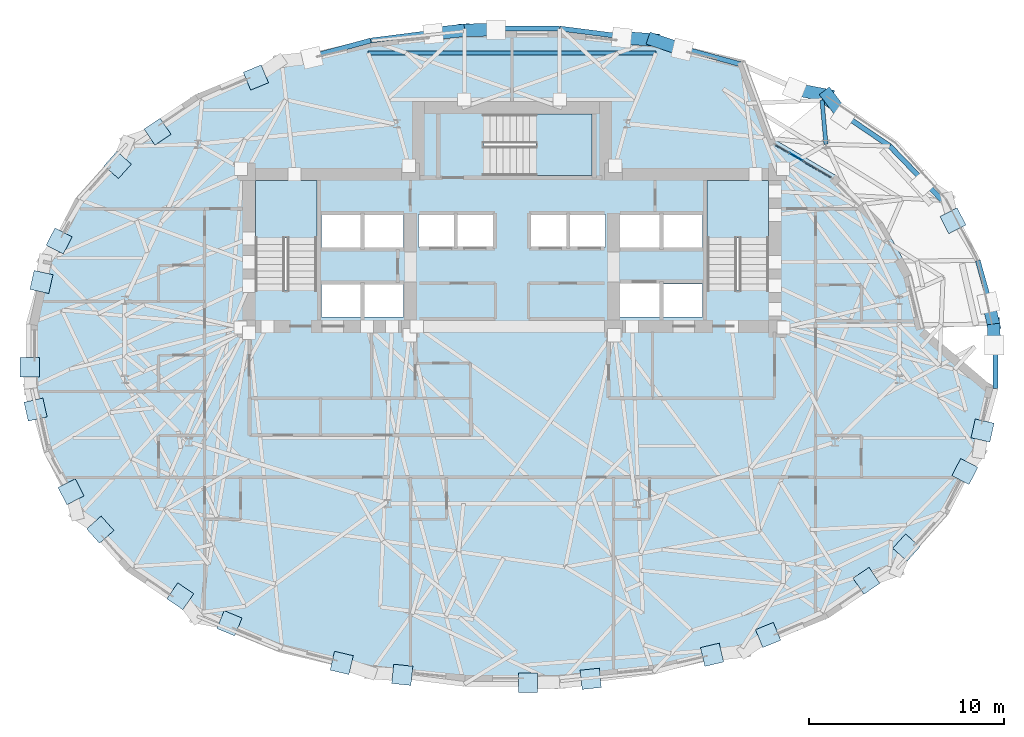
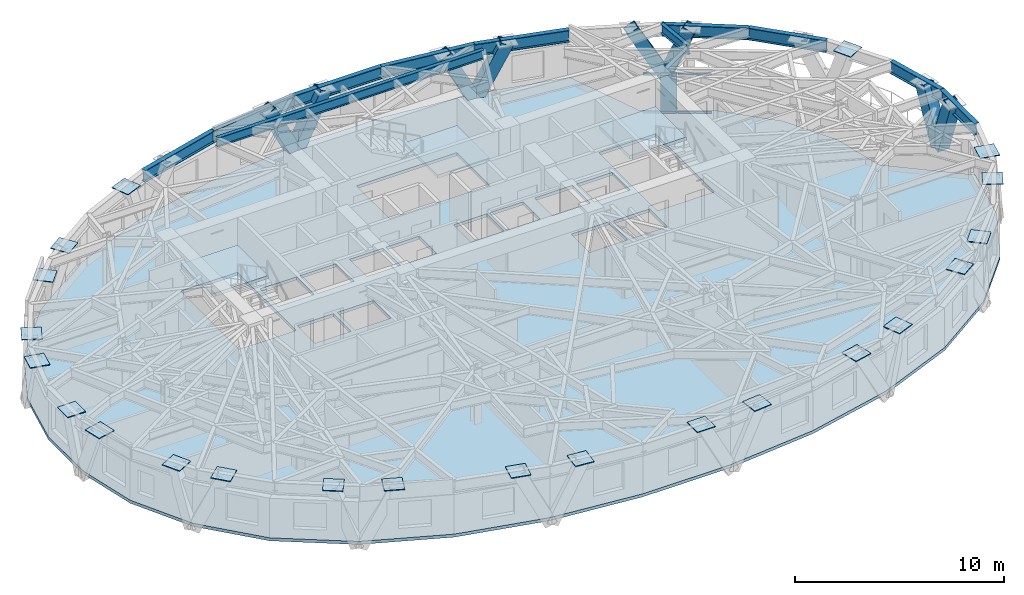
# One storey, part 5 of 15: 23 plates, 16 members, 11 beams, 4 slabs, 4 elements without a shape of their own.
"""IFC4 building model written with IfcOpenShell, lengths in metres."""

from ifc_helpers import new_model, si_unit, direction, frame, origin, origin_2d, place, context, subcontext, project, spatial, polyline, rectangle, hollow_rectangle, i_section, outline, extrude, material, layer, layer_set, material_profile, profile_set, type_object, element, aggregate, save


model = new_model("IFC4")

# Units and contexts
model_context = context("Model", 3, precision=1e-05, world=origin(), true_north=direction((0.0, 1.0)))
body_context = subcontext(model_context, "Body", "Model", "MODEL_VIEW")
ifc_project = project(units=[si_unit("LENGTHUNIT", "METRE"), si_unit("AREAUNIT", "SQUARE_METRE"), si_unit("VOLUMEUNIT", "CUBIC_METRE"), si_unit("PLANEANGLEUNIT", "RADIAN"), si_unit("MASSUNIT", "GRAM", prefix="KILO")], contexts=[model_context])

# Site, building, storey
site_placement = place(None, origin())
site = spatial("IfcSite", under=ifc_project, at=site_placement, CompositionType="ELEMENT")
building_placement = place(site_placement, origin())
building = spatial("IfcBuilding", under=site, at=building_placement, Name="Keldmark Tower", CompositionType="ELEMENT")
storey_placement = place(building_placement, frame((0.0, 0.0, 156.60009765625)))
storey = spatial("IfcBuildingStorey", under=building, at=storey_placement, Name="L42", CompositionType="ELEMENT", Elevation=156.60009765625)

# Curtain wall, members
ifc_material_1 = material(Name="Unitized Thermally Broken Aluminum and Triple Low-E Glazing", Category="aluminium")
ifc_layer_1 = layer(ifc_material_1, 0.219970703125)
ifc_layer_set_1 = layer_set([ifc_layer_1], Name="Unitized Thermally Broken Aluminum and Triple Low-E Glazing")
curtain_wall_type = type_object("IfcCurtainWallType", Name="Spiralling Sky-Garden Feature Curtain Wall System", PredefinedType="NOTDEFINED", material=ifc_layer_set_1)
curtain_wall_placement = place(storey_placement, origin())
curtain_wall = element("IfcCurtainWall", 1, at=curtain_wall_placement, inside=storey, type_object=curtain_wall_type, Name="L42 Spiralling Sky-Garden Feature Curtain Wall System CW-L42-04", PredefinedType="NOTDEFINED")
ifc_material_2 = material(Name="Extruded Aluminum Alloy 6063-T6", Category="aluminium")
ifc_material_profile_1 = material_profile(ifc_material_2, rectangle(XDim=0.06005859375, YDim=0.139892578125, at=origin_2d()), Name="CWT60X140")
ifc_profile_set_1 = profile_set([ifc_material_profile_1], Name="Extruded Aluminum Alloy 6063-T6")
member_type_1 = type_object("IfcMemberType", Name="Curtain Wall Horizontal Transom 60x140", PredefinedType="USERDEFINED", material=ifc_profile_set_1)
member_1_placement = place(storey_placement, frame((13.5078125, 10.8154296875, 0.02978515625), z_axis=(0.862693136327, -0.505727745467, 0.0), x_axis=(0.505727745467, 0.862693136327, 0.0)))
member_1 = element("IfcMember", 2, at=member_1_placement, type_object=member_type_1, Name="CW transom 1.1", ObjectType="TRANSOM", PredefinedType="USERDEFINED", context=body_context, shape_type="SweptSolid", body=[
    extrude(rectangle(XDim=0.06005859375, YDim=0.139892578125, at=origin_2d()), origin(), (0.0, 0.0, 1.0), 0.759765625),
])
member_2_placement = place(storey_placement, frame((13.5078125, 10.8154296875, 2.284912109375), z_axis=(0.862693136327, -0.505727745467, 0.0), x_axis=(0.505727745467, 0.862693136327, 0.0)))
member_2 = element("IfcMember", 3, at=member_2_placement, type_object=member_type_1, Name="CW transom 1.2", ObjectType="TRANSOM", PredefinedType="USERDEFINED", context=body_context, shape_type="SweptSolid", body=[
    extrude(rectangle(XDim=0.06005859375, YDim=0.139892578125, at=origin_2d()), origin(), (0.0, 0.0, 1.0), 0.759765625),
])
member_3_placement = place(storey_placement, frame((14.215087890625, 10.40087890625, 0.02978515625), z_axis=(0.862711920524, -0.505695701174, 0.0), x_axis=(0.505695701174, 0.862711920524, 0.0)))
member_3 = element("IfcMember", 4, at=member_3_placement, type_object=member_type_1, Name="CW transom 2.1", ObjectType="TRANSOM", PredefinedType="USERDEFINED", context=body_context, shape_type="SweptSolid", body=[
    extrude(rectangle(XDim=0.06005859375, YDim=0.139892578125, at=origin_2d()), origin(), (0.0, 0.0, 1.0), 0.789794921875),
])
member_4_placement = place(storey_placement, frame((14.215087890625, 10.40087890625, 2.284912109375), z_axis=(0.862711920524, -0.505695701174, 0.0), x_axis=(0.505695701174, 0.862711920524, 0.0)))
member_4 = element("IfcMember", 5, at=member_4_placement, type_object=member_type_1, Name="CW transom 2.2", ObjectType="TRANSOM", PredefinedType="USERDEFINED", context=body_context, shape_type="SweptSolid", body=[
    extrude(rectangle(XDim=0.06005859375, YDim=0.139892578125, at=origin_2d()), origin(), (0.0, 0.0, 1.0), 0.789794921875),
])
member_5_placement = place(storey_placement, frame((14.9482421875, 9.97119140625, 0.02978515625), z_axis=(0.862846764045, -0.505465589113, 0.0), x_axis=(0.505465589113, 0.862846764045, 0.0)))
member_5 = element("IfcMember", 6, at=member_5_placement, type_object=member_type_1, Name="CW transom 3.1", ObjectType="TRANSOM", PredefinedType="USERDEFINED", context=body_context, shape_type="SweptSolid", body=[
    extrude(rectangle(XDim=0.06005859375, YDim=0.139892578125, at=origin_2d()), origin(), (0.0, 0.0, 1.0), 0.789794921875),
])
member_6_placement = place(storey_placement, frame((14.9482421875, 9.97119140625, 2.284912109375), z_axis=(0.862846764045, -0.505465589113, 0.0), x_axis=(0.505465589113, 0.862846764045, 0.0)))
member_6 = element("IfcMember", 7, at=member_6_placement, type_object=member_type_1, Name="CW transom 3.2", ObjectType="TRANSOM", PredefinedType="USERDEFINED", context=body_context, shape_type="SweptSolid", body=[
    extrude(rectangle(XDim=0.06005859375, YDim=0.139892578125, at=origin_2d()), origin(), (0.0, 0.0, 1.0), 0.789794921875),
])
member_7_placement = place(storey_placement, frame((15.681396484375, 9.54150390625, 0.02978515625), z_axis=(0.862833305667, -0.505488562315, 0.0), x_axis=(0.505488562315, 0.862833305667, 0.0)))
member_7 = element("IfcMember", 8, at=member_7_placement, type_object=member_type_1, Name="CW transom 4.1", ObjectType="TRANSOM", PredefinedType="USERDEFINED", context=body_context, shape_type="SweptSolid", body=[
    extrude(rectangle(XDim=0.06005859375, YDim=0.139892578125, at=origin_2d()), origin(), (0.0, 0.0, 1.0), 0.759765625),
])
member_8_placement = place(storey_placement, frame((15.681396484375, 9.54150390625, 2.284912109375), z_axis=(0.862833305667, -0.505488562315, 0.0), x_axis=(0.505488562315, 0.862833305667, 0.0)))
member_8 = element("IfcMember", 9, at=member_8_placement, type_object=member_type_1, Name="CW transom 4.2", ObjectType="TRANSOM", PredefinedType="USERDEFINED", context=body_context, shape_type="SweptSolid", body=[
    extrude(rectangle(XDim=0.06005859375, YDim=0.139892578125, at=origin_2d()), origin(), (0.0, 0.0, 1.0), 0.759765625),
])

# Members
ifc_material_3 = material(Name="Steel ASTM A572 Grade 50", Category="steel")
ifc_material_profile_2 = material_profile(ifc_material_3, hollow_rectangle(XDim=0.64990234375, YDim=0.64990234375, WallThickness=0.0400390625, at=origin_2d()), Name="BOX650X650X40")
ifc_profile_set_2 = profile_set([ifc_material_profile_2], Name="Steel ASTM A572 Grade 50")
member_type_2 = type_object("IfcMemberType", Name="Diagrid Zone 3 Brace BOX650X650X40", PredefinedType="BRACE", material=ifc_profile_set_2)
member_9_placement = place(storey_placement, frame((24.661376953125, 1.64453125, -0.260009765625), z_axis=(-0.076993934621, 0.324365175842, 0.942793278897), x_axis=(-0.972965402394, -0.23095091631, 0.0)))
element("IfcMember", 10, at=member_9_placement, inside=storey, type_object=member_type_2, Name="L42 Perimeter Diagrid Brace 01A", PredefinedType="BRACE", context=body_context, shape_type="SweptSolid", body=[
    extrude(hollow_rectangle(XDim=0.64990234375, YDim=0.64990234375, WallThickness=0.0400390625, at=origin_2d()), origin(), (0.0, 0.0, 1.0), 3.3515625),
])
member_10_placement = place(storey_placement, frame((16.17578125, 13.36083984375, -0.260009765625), z_axis=(0.237246505981, -0.310568192931, 0.920468083607), x_axis=(0.794662472972, 0.607051525037, 0.0)))
element("IfcMember", 11, at=member_10_placement, inside=storey, type_object=member_type_2, Name="L42 Perimeter Diagrid Brace 02B", PredefinedType="BRACE", context=body_context, shape_type="SweptSolid", body=[
    extrude(hollow_rectangle(XDim=0.64990234375, YDim=0.64990234375, WallThickness=0.0400390625, at=origin_2d()), origin(), (0.0, 0.0, 1.0), 3.432861328125),
])
member_11_placement = place(storey_placement, frame((16.18408203125, 13.3525390625, -0.260009765625), z_axis=(-0.473834234057, 0.090083326029, 0.875994356721), x_axis=(-0.186770346323, -0.98240360226, 0.0)))
element("IfcMember", 12, at=member_11_placement, inside=storey, type_object=member_type_2, Name="L42 Perimeter Diagrid Brace 03A", PredefinedType="BRACE", context=body_context, shape_type="SweptSolid", body=[
    extrude(hollow_rectangle(XDim=0.64990234375, YDim=0.64990234375, WallThickness=0.0400390625, at=origin_2d()), origin(), (0.0, 0.0, 1.0), 3.607177734375),
])
member_12_placement = place(storey_placement, frame((7.247314453125, 16.205078125, -0.260009765625), z_axis=(0.418816960474, -0.141176592501, 0.897029276752), x_axis=(0.319424921765, 0.947611586757, 0.0)))
element("IfcMember", 13, at=member_12_placement, inside=storey, type_object=member_type_2, Name="L42 Perimeter Diagrid Brace 03B", PredefinedType="BRACE", context=body_context, shape_type="SweptSolid", body=[
    extrude(hollow_rectangle(XDim=0.64990234375, YDim=0.64990234375, WallThickness=0.0400390625, at=origin_2d()), origin(), (0.0, 0.0, 1.0), 3.522705078125),
])
member_13_placement = place(storey_placement, frame((7.25830078125, 16.200439453125, -0.260009765625), z_axis=(-0.459940361757, 0.033523749724, 0.887316753945), x_axis=(-0.072694326547, -0.997354267494, 0.0)))
element("IfcMember", 14, at=member_13_placement, inside=storey, type_object=member_type_2, Name="L42 Perimeter Diagrid Brace 04A", PredefinedType="BRACE", context=body_context, shape_type="SweptSolid", body=[
    extrude(hollow_rectangle(XDim=0.64990234375, YDim=0.64990234375, WallThickness=0.0400390625, at=origin_2d()), origin(), (0.0, 0.0, 1.0), 3.561279296875),
])
member_14_placement = place(storey_placement, frame((-2.440673828125, 16.697509765625, -0.260009765625), z_axis=(0.456547638671, 0.008729531784, 0.88965614082), x_axis=(-0.01911725242, 0.999817248631, 0.0)))
element("IfcMember", 15, at=member_14_placement, inside=storey, type_object=member_type_2, Name="L42 Perimeter Diagrid Brace 04B", PredefinedType="BRACE", context=body_context, shape_type="SweptSolid", body=[
    extrude(hollow_rectangle(XDim=0.64990234375, YDim=0.64990234375, WallThickness=0.0400390625, at=origin_2d()), origin(), (0.0, 0.0, 1.0), 3.5517578125),
])
member_15_placement = place(storey_placement, frame((-2.428955078125, 16.697509765625, -0.260009765625), z_axis=(-0.451976552368, -0.049202684979, 0.890671820538), x_axis=(0.108221779044, -0.99412677589, 0.0)))
element("IfcMember", 16, at=member_15_placement, inside=storey, type_object=member_type_2, Name="L42 Perimeter Diagrid Brace 05A", PredefinedType="BRACE", context=body_context, shape_type="SweptSolid", body=[
    extrude(hollow_rectangle(XDim=0.64990234375, YDim=0.64990234375, WallThickness=0.0400390625, at=origin_2d()), origin(), (0.0, 0.0, 1.0), 3.5478515625),
])
member_16_placement = place(storey_placement, frame((24.661376953125, 1.656494140625, -0.260009765625), z_axis=(0.013425575147, -0.3285617657, 0.944387060506), x_axis=(0.999166206847, 0.040827577628, 0.0)))
element("IfcMember", 17, at=member_16_placement, inside=storey, type_object=member_type_2, Name="L42 Perimeter Diagrid Brace 16B", PredefinedType="BRACE", context=body_context, shape_type="SweptSolid", body=[
    extrude(hollow_rectangle(XDim=0.64990234375, YDim=0.64990234375, WallThickness=0.0400390625, at=origin_2d()), origin(), (0.0, 0.0, 1.0), 3.345947265625),
])

# Beams
ifc_material_4 = material(Name="Steel ASTM A992 Grade 50", Category="steel")
ifc_material_profile_3 = material_profile(ifc_material_4, i_section(OverallWidth=0.2099609375, OverallDepth=0.537109375, WebThickness=0.010986328125, FlangeThickness=0.017333984375, at=origin_2d()), Name="W21X68")
ifc_profile_set_3 = profile_set([ifc_material_profile_3], Name="Steel ASTM A992 Grade 50")
beam_type_1 = type_object("IfcBeamType", Name="Radial Tie Girder W21X68", PredefinedType="BEAM", material=ifc_profile_set_3)
beam_1_placement = place(storey_placement, frame((16.08154296875, 10.861083984375, 2.75146484375), z_axis=(-0.089048441045, 0.996027296387, 0.0), x_axis=(-0.996027296387, -0.089048441045, 0.0)))
element("IfcBeam", 18, at=beam_1_placement, inside=storey, type_object=beam_type_1, Name="L42 Perimeter Column Bracket RT-05", PredefinedType="BEAM", context=body_context, shape_type="SweptSolid", body=[
    extrude(i_section(OverallWidth=0.2099609375, OverallDepth=0.537109375, WebThickness=0.010986328125, FlangeThickness=0.017333984375, at=origin_2d()), origin(), (0.0, 0.0, 1.0), 2.2646484375),
])
beam_2_placement = place(storey_placement, frame((-7.376953125, 15.538330078125, 2.75146484375), z_axis=(1.0, 0.0, 0.0), x_axis=(0.0, 1.0, 0.0)))
element("IfcBeam", 19, at=beam_2_placement, inside=storey, type_object=beam_type_1, Name="L42 North Outer Header Girder FG-TCN-H1", PredefinedType="BEAM", context=body_context, shape_type="SweptSolid", body=[
    extrude(i_section(OverallWidth=0.2099609375, OverallDepth=0.537109375, WebThickness=0.010986328125, FlangeThickness=0.017333984375, at=origin_2d()), origin(), (0.0, 0.0, 1.0), 14.75390625),
])
ifc_material_5 = material(Name="Steel ASTM A992 Grade 50", Category="steel")
ifc_material_profile_4 = material_profile(ifc_material_5, i_section(OverallWidth=0.256103515625, OverallDepth=0.693115234375, WebThickness=0.014404296875, FlangeThickness=0.023681640625, at=origin_2d()), Name="W27X114")
ifc_profile_set_4 = profile_set([ifc_material_profile_4], Name="Steel ASTM A992 Grade 50")
beam_type_2 = type_object("IfcBeamType", Name="Spandrel Ring Beam W27X114", PredefinedType="SPANDREL", material=ifc_profile_set_4)
beam_3_placement = place(storey_placement, frame((24.76611328125, 1.653564453125, 2.67333984375), z_axis=(-0.269235699479, 0.963074315993, 0.0), x_axis=(-0.963074315993, -0.269235699479, 0.0)))
element("IfcBeam", 20, at=beam_3_placement, inside=storey, type_object=beam_type_2, Name="L42 Perimeter Spandrel Ring Beam SRB-01", PredefinedType="SPANDREL", context=body_context, shape_type="SweptSolid", body=[
    extrude(i_section(OverallWidth=0.256103515625, OverallDepth=0.693115234375, WebThickness=0.014404296875, FlangeThickness=0.023681640625, at=origin_2d()), origin(), (0.0, 0.0, 1.0), 3.376953125),
])
beam_4_placement = place(storey_placement, frame((22.036865234375, 7.984619140625, 2.67333984375), z_axis=(-0.694975307772, 0.719033602544, 0.0), x_axis=(-0.719033602544, -0.694975307772, 0.0)))
element("IfcBeam", 21, at=beam_4_placement, inside=storey, type_object=beam_type_2, Name="L42 Perimeter Spandrel Ring Beam SRB-03", PredefinedType="SPANDREL", context=body_context, shape_type="SweptSolid", body=[
    extrude(i_section(OverallWidth=0.256103515625, OverallDepth=0.693115234375, WebThickness=0.014404296875, FlangeThickness=0.023681640625, at=origin_2d()), origin(), (0.0, 0.0, 1.0), 3.866455078125),
])
beam_5_placement = place(storey_placement, frame((19.349853515625, 10.7646484375, 2.67333984375), z_axis=(-0.827760762475, 0.561081206338, 0.0), x_axis=(-0.561081206338, -0.827760762475, 0.0)))
element("IfcBeam", 22, at=beam_5_placement, inside=storey, type_object=beam_type_2, Name="L42 Perimeter Spandrel Ring Beam SRB-04", PredefinedType="SPANDREL", context=body_context, shape_type="SweptSolid", body=[
    extrude(i_section(OverallWidth=0.256103515625, OverallDepth=0.693115234375, WebThickness=0.014404296875, FlangeThickness=0.023681640625, at=origin_2d()), origin(), (0.0, 0.0, 1.0), 4.19189453125),
])
beam_6_placement = place(storey_placement, frame((11.77880859375, 14.93798828125, 2.67333984375), z_axis=(-0.965024302167, 0.26216043986, 0.0), x_axis=(-0.26216043986, -0.965024302167, 0.0)))
element("IfcBeam", 23, at=beam_6_placement, inside=storey, type_object=beam_type_2, Name="L42 Perimeter Spandrel Ring Beam SRB-06", PredefinedType="SPANDREL", context=body_context, shape_type="SweptSolid", body=[
    extrude(i_section(OverallWidth=0.256103515625, OverallDepth=0.693115234375, WebThickness=0.014404296875, FlangeThickness=0.023681640625, at=origin_2d()), origin(), (0.0, 0.0, 1.0), 4.70654296875),
])
beam_7_placement = place(storey_placement, frame((7.23681640625, 16.171875, 2.67333984375), z_axis=(-0.991852091732, 0.127394772761, 0.0), x_axis=(-0.127394772761, -0.991852091732, 0.0)))
element("IfcBeam", 24, at=beam_7_placement, inside=storey, type_object=beam_type_2, Name="L42 Perimeter Spandrel Ring Beam SRB-07", PredefinedType="SPANDREL", context=body_context, shape_type="SweptSolid", body=[
    extrude(i_section(OverallWidth=0.256103515625, OverallDepth=0.693115234375, WebThickness=0.014404296875, FlangeThickness=0.023681640625, at=origin_2d()), origin(), (0.0, 0.0, 1.0), 4.8369140625),
])
beam_8_placement = place(storey_placement, frame((2.439208984375, 16.7880859375, 2.67333984375), z_axis=(-1.0, 0.0, 0.0), x_axis=(0.0, -1.0, 0.0)))
element("IfcBeam", 25, at=beam_8_placement, inside=storey, type_object=beam_type_2, Name="L42 Perimeter Spandrel Ring Beam SRB-08", PredefinedType="SPANDREL", context=body_context, shape_type="SweptSolid", body=[
    extrude(i_section(OverallWidth=0.256103515625, OverallDepth=0.693115234375, WebThickness=0.014404296875, FlangeThickness=0.023681640625, at=origin_2d()), origin(), (0.0, 0.0, 1.0), 4.87841796875),
])
beam_9_placement = place(storey_placement, frame((-2.439208984375, 16.7880859375, 2.67333984375), z_axis=(-0.991852091732, -0.127394772761, 0.0), x_axis=(0.127394772761, -0.991852091732, 0.0)))
element("IfcBeam", 26, at=beam_9_placement, inside=storey, type_object=beam_type_2, Name="L42 Perimeter Spandrel Ring Beam SRB-09", PredefinedType="SPANDREL", context=body_context, shape_type="SweptSolid", body=[
    extrude(i_section(OverallWidth=0.256103515625, OverallDepth=0.693115234375, WebThickness=0.014404296875, FlangeThickness=0.023681640625, at=origin_2d()), origin(), (0.0, 0.0, 1.0), 4.8369140625),
])
beam_10_placement = place(storey_placement, frame((-7.23681640625, 16.171875, 2.67333984375), z_axis=(-0.965024302167, -0.26216043986, 0.0), x_axis=(0.26216043986, -0.965024302167, 0.0)))
element("IfcBeam", 27, at=beam_10_placement, inside=storey, type_object=beam_type_2, Name="L42 Perimeter Spandrel Ring Beam SRB-10", PredefinedType="SPANDREL", context=body_context, shape_type="SweptSolid", body=[
    extrude(i_section(OverallWidth=0.256103515625, OverallDepth=0.693115234375, WebThickness=0.014404296875, FlangeThickness=0.023681640625, at=origin_2d()), origin(), (0.0, 0.0, 1.0), 4.70654296875),
])
beam_11_placement = place(storey_placement, frame((24.76611328125, -1.653564453125, 2.67333984375), z_axis=(0.0, 1.0, 0.0), x_axis=(-1.0, 0.0, 0.0)))
element("IfcBeam", 28, at=beam_11_placement, inside=storey, type_object=beam_type_2, Name="L42 Perimeter Spandrel Ring Beam SRB-32", PredefinedType="SPANDREL", context=body_context, shape_type="SweptSolid", body=[
    extrude(i_section(OverallWidth=0.256103515625, OverallDepth=0.693115234375, WebThickness=0.014404296875, FlangeThickness=0.023681640625, at=origin_2d()), origin(), (0.0, 0.0, 1.0), 3.30712890625),
])

# Plates
ifc_material_6 = material(Name="Steel ASTM A572 Grade 50", Category="steel")
ifc_layer_2 = layer(ifc_material_6, 0.044921875)
ifc_layer_set_2 = layer_set([ifc_layer_2], Name="Steel ASTM A572 Grade 50")
plate_type_1 = type_object("IfcPlateType", Name="Diagrid Node Assembly DN04 45 mm", PredefinedType="USERDEFINED", material=ifc_layer_set_2)
for number, where, z_axis, x_axis, name in (
    (29, (22.586181640625, 6.94091796875, 2.87744140625), (0.0, 0.0, 1.0), (-0.457408364087, 0.889256761832, 0.0), "L42 Diagrid Node Assembly 02"),
    (30, (-13.11767578125, 14.278076171875, 2.87744140625), (0.0, 0.0, 1.0), (-0.925077206834, -0.379779095522, 0.0), "L42 Diagrid Node Assembly 11"),
    (31, (-18.1552734375, 11.502197265625, 2.87744140625), (0.0, 0.0, 1.0), (-0.827766671236, -0.56107248907, 0.0), "L42 Diagrid Node Assembly 12"),
    (32, (-20.19921875, 9.7998046875, 2.87744140625), (0.0, 0.0, 1.0), (-0.666272209433, -0.745708617985, 0.0), "L42 Diagrid Node Assembly 13"),
    (33, (-23.197265625, 5.90380859375, 2.87744140625), (0.0, 0.0, 1.0), (-0.457408364087, -0.889256761832, 0.0), "L42 Diagrid Node Assembly 14"),
    (34, (-24.1025390625, 3.80419921875, 2.87744140625), (0.0, 0.0, 1.0), (-0.218994806262, -0.975726024471, 0.0), "L42 Diagrid Node Assembly 15"),
    (35, (-24.706298828125, -0.55712890625, 2.87744140625), (0.0, 0.0, 1.0), (0.0, -1.0, 0.0), "L42 Diagrid Node Assembly 16"),
    (36, (-24.4033203125, -2.731689453125, 2.87744140625), (0.0, 0.0, 1.0), (0.218994806262, -0.975726024471, 0.0), "L42 Diagrid Node Assembly 17"),
    (37, (-22.586181640625, -6.94091796875, 2.87744140625), (0.0, 0.0, 1.0), (0.457408364087, -0.889256761832, 0.0), "L42 Diagrid Node Assembly 18"),
    (38, (-21.08837890625, -8.883056640625, 2.87744140625), (0.0, 0.0, 1.0), (0.666272209433, -0.745708617985, 0.0), "L42 Diagrid Node Assembly 19"),
    (39, (-16.990234375, -12.294677734375, 2.87744140625), (0.0, 0.0, 1.0), (0.827766671236, -0.56107248907, 0.0), "L42 Diagrid Node Assembly 20"),
    (40, (-14.474853515625, -13.677490234375, 2.87744140625), (0.0, 0.0, 1.0), (0.925077206834, -0.379779095522, 0.0), "L42 Diagrid Node Assembly 21"),
    (41, (-8.72265625, -15.707763671875, 2.87744140625), (0.0, 0.0, 1.0), (0.973178872777, -0.230049737188, 0.0), "L42 Diagrid Node Assembly 22"),
    (42, (-5.620361328125, -16.31982421875, 2.87744140625), (0.0, 0.0, 1.0), (0.994720742649, -0.10261892683, 0.0), "L42 Diagrid Node Assembly 23"),
    (43, (0.819091796875, -16.728515625, 2.87744140625), (0.0, 0.0, 1.0), (1.0, 0.0, 0.0), "L42 Diagrid Node Assembly 24"),
    (44, (4.032470703125, -16.52294921875, 2.87744140625), (0.0, 0.0, 1.0), (0.994720742649, 0.10261892683, 0.0), "L42 Diagrid Node Assembly 25"),
    (45, (10.24755859375, -15.2919921875, 2.87744140625), (0.0, 0.0, 1.0), (0.973178872777, 0.230049737188, 0.0), "L42 Diagrid Node Assembly 26"),
    (46, (13.11767578125, -14.278076171875, 2.87744140625), (0.0, 0.0, 1.0), (0.925077206834, 0.379779095522, 0.0), "L42 Diagrid Node Assembly 27"),
    (47, (18.1552734375, -11.502197265625, 2.87744140625), (0.0, 0.0, 1.0), (0.827766671236, 0.56107248907, 0.0), "L42 Diagrid Node Assembly 28"),
    (48, (20.19921875, -9.7998046875, 2.87744140625), (0.0, 0.0, 1.0), (0.666272209433, 0.745708617985, 0.0), "L42 Diagrid Node Assembly 29"),
    (49, (23.197265625, -5.90380859375, 2.87744140625), (0.0, 0.0, 1.0), (0.457408364087, 0.889256761832, 0.0), "L42 Diagrid Node Assembly 30"),
    (50, (24.1025390625, -3.80419921875, 2.87744140625), (0.0, 0.0, 1.0), (0.218994806262, 0.975726024471, 0.0), "L42 Diagrid Node Assembly 31"),
):
    element("IfcPlate", number, at=place(storey_placement, frame(where, z_axis=z_axis, x_axis=x_axis)), inside=storey, type_object=plate_type_1, Name=name, ObjectType="GUSSET", PredefinedType="USERDEFINED", context=body_context, shape_type="SweptSolid", body=[
        extrude(rectangle(XDim=0.989990234375, YDim=0.989990234375, at=origin_2d()), origin(), (0.0, 0.0, 1.0), 0.044921875),
    ])

# Slab
ifc_material_7 = material(Name="Concrete C35/45", Category="concrete")
ifc_layer_3 = layer(ifc_material_7, 0.179931640625)
ifc_layer_set_3 = layer_set([ifc_layer_3], Name="Concrete C35/45")
slab_type_1 = type_object("IfcSlabType", Name="Hotel and Residential Slab 180 mm", PredefinedType="FLOOR", material=ifc_layer_set_3)
slab_1_placement = place(storey_placement, frame((0.0, 0.0, -0.18017578125)))
element("IfcSlab", 51, at=slab_1_placement, inside=storey, type_object=slab_type_1, Name="L42 Composite Structural Floor Slab", PredefinedType="FLOOR", context=body_context, shape_type="SweptSolid", body=[
    extrude(outline(polyline([(21.129150390625, 1.41064453125), (20.458251953125, 4.206787109375), (18.970458984375, 6.873291015625), (16.62060546875, 9.24609375), (13.446533203125, 11.106201171875), (11.948974609375, 15.153564453125), (7.275634765625, 16.2578125), (2.434814453125, 16.75732421875), (-2.434814453125, 16.75732421875), (-7.275634765625, 16.2578125), (-11.948974609375, 15.153564453125), (-16.22216796875, 13.39892578125), (-19.7666015625, 10.99609375), (-22.35498046875, 8.099609375), (-23.984375, 4.931884765625), (-24.72119140625, 1.650390625), (-24.72119140625, -1.650390625), (-23.984375, -4.931884765625), (-22.35498046875, -8.099609375), (-19.7666015625, -10.99609375), (-16.22216796875, -13.39892578125), (-11.948974609375, -15.153564453125), (-7.275634765625, -16.2578125), (-2.434814453125, -16.75732421875), (2.434814453125, -16.75732421875), (7.275634765625, -16.2578125), (11.948974609375, -15.153564453125), (16.22216796875, -13.39892578125), (19.7666015625, -10.99609375), (22.35498046875, -8.099609375), (23.984375, -4.931884765625), (24.72119140625, -1.650390625), (21.129150390625, 1.41064453125)]), holes=[polyline([(-10.0, 3.385009765625), (-10.0, 9.0), (-13.14990234375, 9.0), (-13.14990234375, 3.385009765625), (-10.0, 3.385009765625)]), polyline([(13.14990234375, 3.385009765625), (13.14990234375, 9.0), (10.0, 9.0), (10.0, 3.385009765625), (13.14990234375, 3.385009765625)]), polyline([(-1.43994140625, 9.25), (4.10498046875, 9.25), (4.10498046875, 12.39990234375), (-1.43994140625, 12.39990234375), (-1.43994140625, 9.25)]), polyline([(-9.75, 2.0), (-7.75, 2.0), (-7.75, 3.699951171875), (-9.75, 3.699951171875), (-9.75, 2.0)]), polyline([(7.75, 2.0), (9.75, 2.0), (9.75, 3.699951171875), (7.75, 3.699951171875), (7.75, 2.0)]), polyline([(5.449951171875, 2.0), (7.550048828125, 2.0), (7.550048828125, 3.75), (5.449951171875, 3.75), (5.449951171875, 2.0)]), polyline([(-4.800048828125, 5.60009765625), (-2.949951171875, 5.60009765625), (-2.949951171875, 7.25), (-4.800048828125, 7.25), (-4.800048828125, 5.60009765625)]), polyline([(-2.800048828125, 5.60009765625), (-0.949951171875, 5.60009765625), (-0.949951171875, 7.25), (-2.800048828125, 7.25), (-2.800048828125, 5.60009765625)]), polyline([(0.949951171875, 5.60009765625), (2.800048828125, 5.60009765625), (2.800048828125, 7.25), (0.949951171875, 7.25), (0.949951171875, 5.60009765625)]), polyline([(2.949951171875, 5.60009765625), (4.800048828125, 5.60009765625), (4.800048828125, 7.25), (2.949951171875, 7.25), (2.949951171875, 5.60009765625)]), polyline([(-9.75, 5.550048828125), (-7.75, 5.550048828125), (-7.75, 7.25), (-9.75, 7.25), (-9.75, 5.550048828125)]), polyline([(-7.550048828125, 5.550048828125), (-5.550048828125, 5.550048828125), (-5.550048828125, 7.25), (-7.550048828125, 7.25), (-7.550048828125, 5.550048828125)]), polyline([(-7.550048828125, 2.0), (-5.550048828125, 2.0), (-5.550048828125, 3.699951171875), (-7.550048828125, 3.699951171875), (-7.550048828125, 2.0)]), polyline([(5.449951171875, 5.550048828125), (7.550048828125, 5.550048828125), (7.550048828125, 7.25), (5.449951171875, 7.25), (5.449951171875, 5.550048828125)]), polyline([(7.75, 5.550048828125), (9.75, 5.550048828125), (9.75, 7.25), (7.75, 7.25), (7.75, 5.550048828125)])]), origin(), (0.0, 0.0, 1.0), 0.18017578125),
])

# Stair, slab
ifc_material_8 = material(Name="Concrete C40/50", Category="concrete")
stair_type = type_object("IfcStairType", Name="Precast Concrete Core Exit Stair", PredefinedType="HALF_TURN_STAIR", material=ifc_material_8)
stair_1_placement = place(storey_placement, origin())
stair_1 = element("IfcStair", 52, at=stair_1_placement, inside=storey, type_object=stair_type, Name="L42 Exit Stair ST1", PredefinedType="HALF_TURN_STAIR")
ifc_material_9 = material(Name="Concrete C40/50", Category="concrete")
ifc_layer_4 = layer(ifc_material_9, 0.199951171875)
ifc_layer_set_4 = layer_set([ifc_layer_4], Name="Concrete C40/50")
slab_type_2 = type_object("IfcSlabType", Name="Reinforced Concrete Stair Landing 200 mm", PredefinedType="LANDING", material=ifc_layer_set_4)
slab_2_placement = place(storey_placement, frame((0.0, 0.0, 1.39990234375)))
slab_2 = element("IfcSlab", 53, at=slab_2_placement, type_object=slab_type_2, Name="ST1 landing 1", PredefinedType="LANDING", context=body_context, shape_type="SweptSolid", body=[
    extrude(outline(polyline([(-10.0, 6.050048828125), (-10.0, 9.0), (-13.14990234375, 9.0), (-13.14990234375, 6.050048828125), (-10.0, 6.050048828125)])), origin(), (0.0, 0.0, 1.0), 0.199951171875),
])
aggregate(stair_1, [slab_2])

stair_2_placement = place(storey_placement, origin())
stair_2 = element("IfcStair", 54, at=stair_2_placement, inside=storey, type_object=stair_type, Name="L42 Exit Stair ST2", PredefinedType="HALF_TURN_STAIR")
slab_3_placement = place(storey_placement, frame((0.0, 0.0, 1.39990234375)))
slab_3 = element("IfcSlab", 55, at=slab_3_placement, type_object=slab_type_2, Name="ST2 landing 1", PredefinedType="LANDING", context=body_context, shape_type="SweptSolid", body=[
    extrude(outline(polyline([(13.14990234375, 6.050048828125), (13.14990234375, 9.0), (10.0, 9.0), (10.0, 6.050048828125), (13.14990234375, 6.050048828125)])), origin(), (0.0, 0.0, 1.0), 0.199951171875),
])
aggregate(stair_2, [slab_3])

stair_3_placement = place(storey_placement, origin())
stair_3 = element("IfcStair", 56, at=stair_3_placement, inside=storey, type_object=stair_type, Name="L42 Exit Stair ST3", PredefinedType="HALF_TURN_STAIR")
slab_4_placement = place(storey_placement, frame((0.0, 0.0, 1.39990234375)))
slab_4 = element("IfcSlab", 57, at=slab_4_placement, type_object=slab_type_2, Name="ST3 landing 1", PredefinedType="LANDING", context=body_context, shape_type="SweptSolid", body=[
    extrude(outline(polyline([(1.22509765625, 9.25), (4.10498046875, 9.25), (4.10498046875, 12.39990234375), (1.22509765625, 12.39990234375), (1.22509765625, 9.25)])), origin(), (0.0, 0.0, 1.0), 0.199951171875),
])
aggregate(stair_3, [slab_4])

# Plate
ifc_material_10 = material(Name="Triple Silver Low-E Insulated Glass Unit", Category="glass")
ifc_layer_5 = layer(ifc_material_10, 0.035888671875)
ifc_layer_set_5 = layer_set([ifc_layer_5], Name="Triple Silver Low-E Insulated Glass Unit")
plate_type_2 = type_object("IfcPlateType", Name="Triple Low-E Vision Glazing Panel 36 mm", PredefinedType="CURTAIN_PANEL", material=ifc_layer_set_5)
plate_placement = place(storey_placement, frame((14.555908203125, 10.201171875, 0.06005859375), z_axis=(0.0, 0.0, 1.0), x_axis=(0.862763467357, -0.505607752505, 0.0)))
plate = element("IfcPlate", 58, at=plate_placement, type_object=plate_type_2, Name="CW panel 2.1", PredefinedType="CURTAIN_PANEL", context=body_context, shape_type="SweptSolid", body=[
    extrude(rectangle(XDim=0.789794921875, YDim=0.035888671875, at=origin_2d()), origin(), (0.0, 0.0, 1.0), 2.195068359375),
])

aggregate(curtain_wall, [member_1, member_2, member_3, member_4, plate, member_5, member_6, member_7, member_8])

save(model, "model.ifc")
